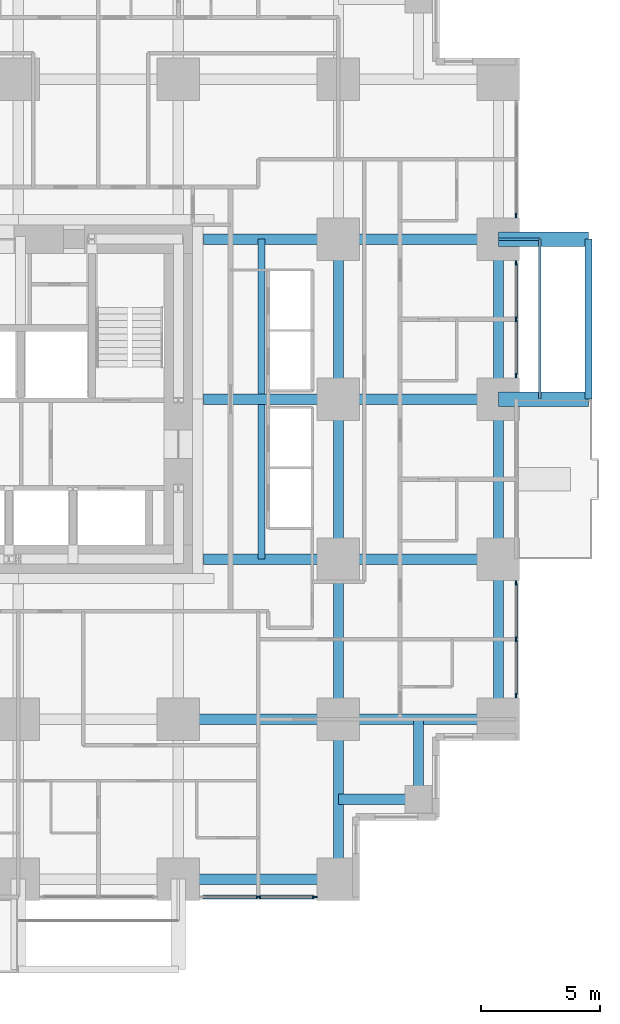
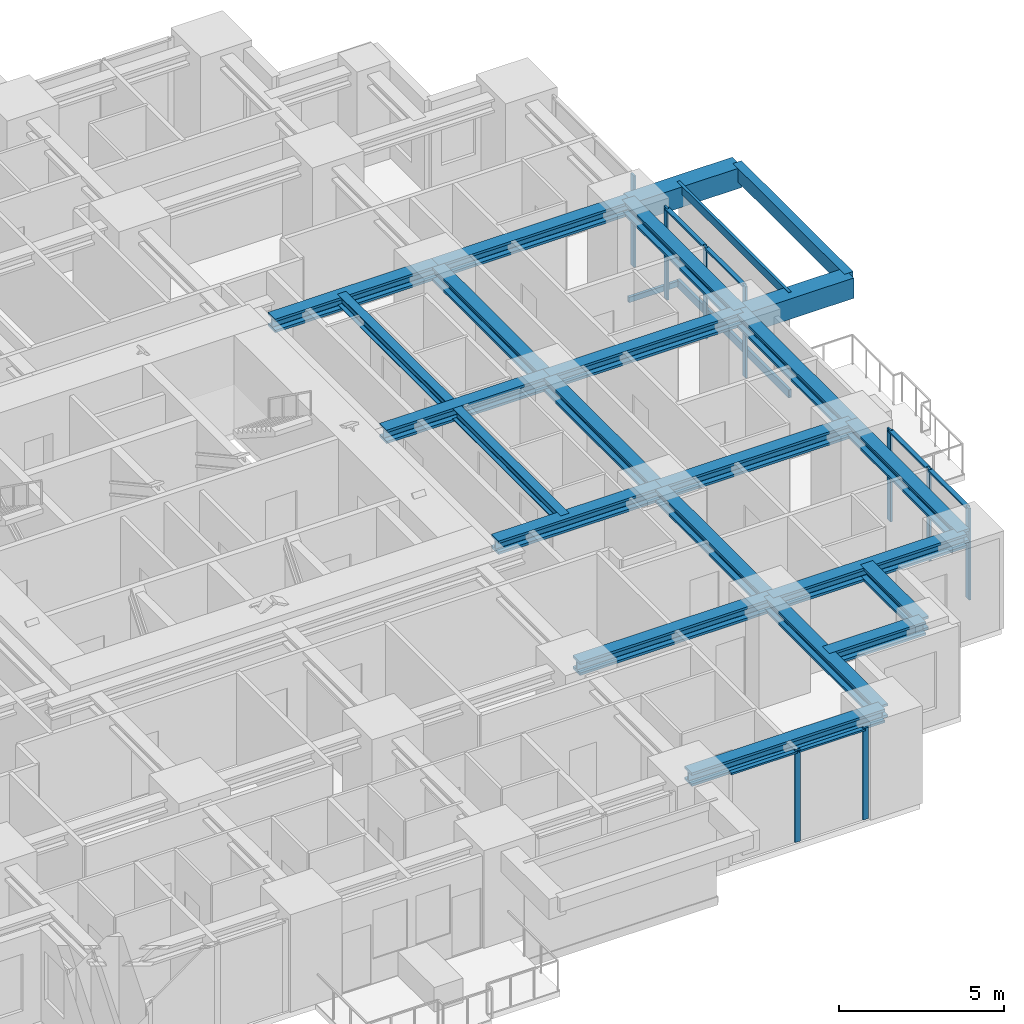
# One storey, part 4 of 14: 23 beams, 18 members, 4 elements without a shape of their own.
"""IFC4 building model written with IfcOpenShell, lengths in metres."""

from ifc_helpers import new_model, si_unit, direction, frame, origin, origin_2d, place, context, subcontext, project, spatial, rectangle, hollow_rectangle, i_section, extrude, material, material_profile, profile_set, type_object, element, aggregate, save


model = new_model("IFC4")

# Units and contexts
model_context = context("Model", 3, precision=1e-05, world=origin(), true_north=direction((0.0, 1.0)))
body_context = subcontext(model_context, "Body", "Model", "MODEL_VIEW")
ifc_project = project(units=[si_unit("LENGTHUNIT", "METRE"), si_unit("AREAUNIT", "SQUARE_METRE"), si_unit("VOLUMEUNIT", "CUBIC_METRE"), si_unit("PLANEANGLEUNIT", "RADIAN"), si_unit("MASSUNIT", "GRAM", prefix="KILO")], contexts=[model_context])

# Site, building, storey
site_placement = place(None, origin())
site = spatial("IfcSite", under=ifc_project, at=site_placement, CompositionType="ELEMENT")
building_placement = place(site_placement, origin())
building = spatial("IfcBuilding", under=site, at=building_placement, Name="Nyansa Garden Tower", CompositionType="ELEMENT")
storey_placement = place(building_placement, frame((0.0, 0.0, 68.39990234375)))
storey = spatial("IfcBuildingStorey", under=building, at=storey_placement, Name="L18", CompositionType="ELEMENT", Elevation=68.39990234375)

# Beams
ifc_material_1 = material(Name="Concrete C70/85", Category="concrete")
ifc_material_profile_1 = material_profile(ifc_material_1, rectangle(XDim=0.60009765625, YDim=0.75, at=origin_2d()), Name="RC 600x750")
ifc_profile_set_1 = profile_set([ifc_material_profile_1], Name="Concrete C70/85")
beam_type_1 = type_object("IfcBeamType", Name="Balcony cantilever beam CB1 RC 600x750", PredefinedType="BEAM", material=ifc_profile_set_1)
for number, where, z_axis, x_axis, name in (
    (1, (40.5, 20.25, 2.985107421875), (1.0, 0.0, 0.0), (0.0, 1.0, 0.0), "Balcony cantilever beam L19"),
    (2, (40.5, 27.0, 2.985107421875), (1.0, 0.0, 0.0), (0.0, 1.0, 0.0), "Balcony cantilever beam L19"),
):
    element("IfcBeam", number, at=place(storey_placement, frame(where, z_axis=z_axis, x_axis=x_axis)), inside=storey, type_object=beam_type_1, Name=name, PredefinedType="BEAM", context=body_context, shape_type="SweptSolid", body=[
        extrude(rectangle(XDim=0.60009765625, YDim=0.75, at=origin_2d()), origin(), (0.0, 0.0, 1.0), 3.800048828125),
    ])
ifc_material_2 = material(Name="Concrete C70/85", Category="concrete")
ifc_material_profile_2 = material_profile(ifc_material_2, rectangle(XDim=0.300048828125, YDim=0.5, at=origin_2d()), Name="RC 300x500")
ifc_profile_set_2 = profile_set([ifc_material_profile_2], Name="Concrete C70/85")
beam_type_2 = type_object("IfcBeamType", Name="Balcony edge beam BE1 RC 300x500", PredefinedType="BEAM", material=ifc_profile_set_2)
beam_1_placement = place(storey_placement, frame((44.300048828125, 20.25, 3.110107421875), z_axis=(0.0, 1.0, 0.0), x_axis=(-1.0, 0.0, 0.0)))
element("IfcBeam", 3, at=beam_1_placement, inside=storey, type_object=beam_type_2, Name="Balcony edge beam L19", PredefinedType="BEAM", context=body_context, shape_type="SweptSolid", body=[
    extrude(rectangle(XDim=0.300048828125, YDim=0.5, at=origin_2d()), origin(), (0.0, 0.0, 1.0), 6.75),
])

# Curtain wall, members
ifc_material_3 = material(Name="Black anodised aluminium, dark tinted double glazing", Category="aluminium")
curtain_wall_type = type_object("IfcCurtainWallType", Name="Inner skin curtain wall ISW-A", PredefinedType="USERDEFINED", material=ifc_material_3)
curtain_wall_1_placement = place(storey_placement, origin())
curtain_wall_1 = element("IfcCurtainWall", 4, at=curtain_wall_1_placement, inside=storey, type_object=curtain_wall_type, Name="Inner skin curtain wall L18 E", ObjectType="UNITISED CURTAIN WALL", PredefinedType="USERDEFINED")
ifc_material_4 = material(Name="Black anodised aluminium", Category="aluminium")
ifc_material_profile_3 = material_profile(ifc_material_4, rectangle(XDim=0.06494140625, YDim=0.199951171875, at=origin_2d()), Name="Mullion 200x65")
ifc_profile_set_3 = profile_set([ifc_material_profile_3], Name="Black anodised aluminium")
member_type_1 = type_object("IfcMemberType", Name="Mullion ISW-A 200x65", PredefinedType="MULLION", material=ifc_profile_set_3)
member_1_placement = place(storey_placement, frame((41.25, 7.75, 0.0), z_axis=(0.0, 0.0, 1.0), x_axis=(-1.0, 0.0, 0.0)))
member_1 = element("IfcMember", 5, at=member_1_placement, type_object=member_type_1, Name="ISW-A mullion 1", PredefinedType="MULLION", context=body_context, shape_type="SweptSolid", body=[
    extrude(rectangle(XDim=0.06494140625, YDim=0.199951171875, at=origin_2d()), origin(), (0.0, 0.0, 1.0), 3.375),
])
member_2_placement = place(storey_placement, frame((41.25, 10.125, 0.0), z_axis=(0.0, 0.0, 1.0), x_axis=(-1.0, 0.0, 0.0)))
member_2 = element("IfcMember", 6, at=member_2_placement, type_object=member_type_1, Name="ISW-A mullion 2", PredefinedType="MULLION", context=body_context, shape_type="SweptSolid", body=[
    extrude(rectangle(XDim=0.06494140625, YDim=0.199951171875, at=origin_2d()), origin(), (0.0, 0.0, 1.0), 3.375),
])
member_3_placement = place(storey_placement, frame((41.25, 12.5, 0.0), z_axis=(0.0, 0.0, 1.0), x_axis=(-1.0, 0.0, 0.0)))
member_3 = element("IfcMember", 7, at=member_3_placement, type_object=member_type_1, Name="ISW-A mullion 3", PredefinedType="MULLION", context=body_context, shape_type="SweptSolid", body=[
    extrude(rectangle(XDim=0.06494140625, YDim=0.199951171875, at=origin_2d()), origin(), (0.0, 0.0, 1.0), 3.375),
])

curtain_wall_2_placement = place(storey_placement, origin())
curtain_wall_2 = element("IfcCurtainWall", 8, at=curtain_wall_2_placement, inside=storey, type_object=curtain_wall_type, Name="Inner skin curtain wall L18 E", ObjectType="UNITISED CURTAIN WALL", PredefinedType="USERDEFINED")
member_4_placement = place(storey_placement, frame((41.25, 21.25, 0.0), z_axis=(0.0, 0.0, 1.0), x_axis=(-1.0, 0.0, 0.0)))
member_4 = element("IfcMember", 9, at=member_4_placement, type_object=member_type_1, Name="ISW-A mullion 1", PredefinedType="MULLION", context=body_context, shape_type="SweptSolid", body=[
    extrude(rectangle(XDim=0.06494140625, YDim=0.199951171875, at=origin_2d()), origin(), (0.0, 0.0, 1.0), 3.375),
])
member_5_placement = place(storey_placement, frame((41.25, 23.625, 0.0), z_axis=(0.0, 0.0, 1.0), x_axis=(-1.0, 0.0, 0.0)))
member_5 = element("IfcMember", 10, at=member_5_placement, type_object=member_type_1, Name="ISW-A mullion 2", PredefinedType="MULLION", context=body_context, shape_type="SweptSolid", body=[
    extrude(rectangle(XDim=0.06494140625, YDim=0.199951171875, at=origin_2d()), origin(), (0.0, 0.0, 1.0), 3.375),
])
member_6_placement = place(storey_placement, frame((41.25, 26.0, 0.0), z_axis=(0.0, 0.0, 1.0), x_axis=(-1.0, 0.0, 0.0)))
member_6 = element("IfcMember", 11, at=member_6_placement, type_object=member_type_1, Name="ISW-A mullion 3", PredefinedType="MULLION", context=body_context, shape_type="SweptSolid", body=[
    extrude(rectangle(XDim=0.06494140625, YDim=0.199951171875, at=origin_2d()), origin(), (0.0, 0.0, 1.0), 3.375),
])

# Curtain wall, member
curtain_wall_3_placement = place(storey_placement, origin())
curtain_wall_3 = element("IfcCurtainWall", 12, at=curtain_wall_3_placement, inside=storey, type_object=curtain_wall_type, Name="Inner skin curtain wall L18 E", ObjectType="UNITISED CURTAIN WALL", PredefinedType="USERDEFINED")
member_7_placement = place(storey_placement, frame((41.25, 28.0, 0.0), z_axis=(0.0, 0.0, 1.0), x_axis=(-1.0, 0.0, 0.0)))
member_7 = element("IfcMember", 13, at=member_7_placement, type_object=member_type_1, Name="ISW-A mullion 1", PredefinedType="MULLION", context=body_context, shape_type="SweptSolid", body=[
    extrude(rectangle(XDim=0.06494140625, YDim=0.199951171875, at=origin_2d()), origin(), (0.0, 0.0, 1.0), 3.375),
])
aggregate(curtain_wall_3, [member_7])

# Curtain wall, members
curtain_wall_4_placement = place(storey_placement, origin())
curtain_wall_4 = element("IfcCurtainWall", 14, at=curtain_wall_4_placement, inside=storey, type_object=curtain_wall_type, Name="Inner skin curtain wall L18 S", ObjectType="UNITISED CURTAIN WALL", PredefinedType="USERDEFINED")
member_8_placement = place(storey_placement, frame((30.375, -0.75, 0.0), z_axis=(0.0, 0.0, 1.0), x_axis=(0.0, 1.0, 0.0)))
member_8 = element("IfcMember", 15, at=member_8_placement, type_object=member_type_1, Name="ISW-A mullion 2", PredefinedType="MULLION", context=body_context, shape_type="SweptSolid", body=[
    extrude(rectangle(XDim=0.06494140625, YDim=0.199951171875, at=origin_2d()), origin(), (0.0, 0.0, 1.0), 3.375),
])
member_9_placement = place(storey_placement, frame((32.75, -0.75, 0.0), z_axis=(0.0, 0.0, 1.0), x_axis=(0.0, 1.0, 0.0)))
member_9 = element("IfcMember", 16, at=member_9_placement, type_object=member_type_1, Name="ISW-A mullion 3", PredefinedType="MULLION", context=body_context, shape_type="SweptSolid", body=[
    extrude(rectangle(XDim=0.06494140625, YDim=0.199951171875, at=origin_2d()), origin(), (0.0, 0.0, 1.0), 3.375),
])

# Members
ifc_material_5 = material(Name="Steel S355, black powder coated", Category="steel")
ifc_material_profile_4 = material_profile(ifc_material_5, hollow_rectangle(XDim=0.10009765625, YDim=0.199951171875, WallThickness=0.008056640625, at=origin_2d()), Name="RHS 200x100x8")
ifc_profile_set_4 = profile_set([ifc_material_profile_4], Name="Steel S355, black powder coated")
member_type_2 = type_object("IfcMemberType", Name="Outer skin bracket arm RHS 200x100x8", PredefinedType="USERDEFINED", material=ifc_profile_set_4)
member_10_placement = place(storey_placement, frame((40.5, 27.0, -0.375), z_axis=(1.0, 0.0, 0.0), x_axis=(0.0, 1.0, 0.0)))
element("IfcMember", 17, at=member_10_placement, inside=storey, type_object=member_type_2, Name="Outer skin bracket arm", ObjectType="OUTER SKIN BRACKET", PredefinedType="USERDEFINED", context=body_context, shape_type="SweptSolid", body=[
    extrude(hollow_rectangle(XDim=0.10009765625, YDim=0.199951171875, WallThickness=0.008056640625, at=origin_2d()), origin(), (0.0, 0.0, 1.0), 1.75),
])
ifc_material_6 = material(Name="Steel S355, black powder coated", Category="steel")
ifc_material_profile_5 = material_profile(ifc_material_6, hollow_rectangle(XDim=0.10009765625, YDim=0.300048828125, WallThickness=0.010009765625, at=origin_2d()), Name="RHS 300x100x10")
ifc_profile_set_5 = profile_set([ifc_material_profile_5], Name="Steel S355, black powder coated")
member_type_3 = type_object("IfcMemberType", Name="Outer skin rail RHS 300x100x10", PredefinedType="USERDEFINED", material=ifc_profile_set_5)
for number, where, z_axis, x_axis, name in (
    (18, (42.25, 20.25, -0.375), (0.0, 1.0, 0.0), (-1.0, 0.0, 0.0), "Outer skin rail L18"),
    (19, (42.25, 20.25, 3.22509765625), (0.0, 1.0, 0.0), (-1.0, 0.0, 0.0), "Outer skin rail L18 head"),
):
    element("IfcMember", number, at=place(storey_placement, frame(where, z_axis=z_axis, x_axis=x_axis)), inside=storey, type_object=member_type_3, Name=name, ObjectType="OUTER SKIN RAIL", PredefinedType="USERDEFINED", context=body_context, shape_type="SweptSolid", body=[
        extrude(hollow_rectangle(XDim=0.10009765625, YDim=0.300048828125, WallThickness=0.010009765625, at=origin_2d()), origin(), (0.0, 0.0, 1.0), 6.75),
    ])

# Beams
ifc_material_7 = material(Name="Steel S355", Category="steel")
ifc_material_profile_6 = material_profile(ifc_material_7, i_section(OverallWidth=0.431884765625, OverallDepth=0.498046875, WebThickness=0.0556640625, FlangeThickness=0.0888671875, FilletRadius=0.014892578125, at=origin_2d()), Name="HD 400x744")
ifc_profile_set_6 = profile_set([ifc_material_profile_6], Name="Steel S355")
beam_type_3 = type_object("IfcBeamType", Name="Steel beam SBA2-744 HD 400x744", PredefinedType="BEAM", material=ifc_profile_set_6)
beam_2_placement = place(storey_placement, frame((27.0, 6.75, 3.1259765625), z_axis=(1.0, 0.0, 0.0), x_axis=(0.0, 1.0, 0.0)))
element("IfcBeam", 20, at=beam_2_placement, inside=storey, type_object=beam_type_3, Name="Steel beam 6/E-7/E L19", PredefinedType="BEAM", context=body_context, shape_type="SweptSolid", body=[
    extrude(i_section(OverallWidth=0.431884765625, OverallDepth=0.498046875, WebThickness=0.0556640625, FlangeThickness=0.0888671875, FilletRadius=0.014892578125, at=origin_2d()), origin(), (0.0, 0.0, 1.0), 6.75),
])
for number, where, z_axis, x_axis, name in (
    (21, (28.050048828125, 13.5, 3.1259765625), (1.0, 0.0, 0.0), (0.0, 1.0, 0.0), "Steel beam 28.050/F-7/F L19"),
    (22, (28.050048828125, 20.25, 3.1259765625), (1.0, 0.0, 0.0), (0.0, 1.0, 0.0), "Steel beam 28.050/G-7/G L19"),
    (23, (28.050048828125, 27.0, 3.1259765625), (1.0, 0.0, 0.0), (0.0, 1.0, 0.0), "Steel beam 28.050/H-7/H L19"),
):
    element("IfcBeam", number, at=place(storey_placement, frame(where, z_axis=z_axis, x_axis=x_axis)), inside=storey, type_object=beam_type_3, Name=name, PredefinedType="BEAM", context=body_context, shape_type="SweptSolid", body=[
        extrude(i_section(OverallWidth=0.431884765625, OverallDepth=0.498046875, WebThickness=0.0556640625, FlangeThickness=0.0888671875, FilletRadius=0.014892578125, at=origin_2d()), origin(), (0.0, 0.0, 1.0), 5.699951171875),
    ])
for number, where, z_axis, x_axis, name in (
    (24, (33.75, 0.0, 3.1259765625), (0.0, 1.0, 0.0), (-1.0, 0.0, 0.0), "Steel beam 7/D-7/E L19"),
    (25, (33.75, 6.75, 3.1259765625), (0.0, 1.0, 0.0), (-1.0, 0.0, 0.0), "Steel beam 7/E-7/F L19"),
    (26, (33.75, 6.75, 3.1259765625), (1.0, 0.0, 0.0), (0.0, 1.0, 0.0), "Steel beam 7/E-8/E L19"),
    (27, (33.75, 13.5, 3.1259765625), (0.0, 1.0, 0.0), (-1.0, 0.0, 0.0), "Steel beam 7/F-7/G L19"),
    (28, (33.75, 13.5, 3.1259765625), (1.0, 0.0, 0.0), (0.0, 1.0, 0.0), "Steel beam 7/F-8/F L19"),
    (29, (33.75, 20.25, 3.1259765625), (0.0, 1.0, 0.0), (-1.0, 0.0, 0.0), "Steel beam 7/G-7/H L19"),
    (30, (33.75, 20.25, 3.1259765625), (1.0, 0.0, 0.0), (0.0, 1.0, 0.0), "Steel beam 7/G-8/G L19"),
    (31, (33.75, 27.0, 3.1259765625), (1.0, 0.0, 0.0), (0.0, 1.0, 0.0), "Steel beam 7/H-8/H L19"),
):
    element("IfcBeam", number, at=place(storey_placement, frame(where, z_axis=z_axis, x_axis=x_axis)), inside=storey, type_object=beam_type_3, Name=name, PredefinedType="BEAM", context=body_context, shape_type="SweptSolid", body=[
        extrude(i_section(OverallWidth=0.431884765625, OverallDepth=0.498046875, WebThickness=0.0556640625, FlangeThickness=0.0888671875, FilletRadius=0.014892578125, at=origin_2d()), origin(), (0.0, 0.0, 1.0), 6.75),
    ])
ifc_material_8 = material(Name="Steel S355", Category="steel")
ifc_material_profile_7 = material_profile(ifc_material_8, i_section(OverallWidth=0.431884765625, OverallDepth=0.498046875, WebThickness=0.0556640625, FlangeThickness=0.0888671875, FilletRadius=0.014892578125, at=origin_2d()), Name="HD 400x744")
ifc_profile_set_7 = profile_set([ifc_material_profile_7], Name="Steel S355")
beam_type_4 = type_object("IfcBeamType", Name="Steel beam SEBA-744 HD 400x744", PredefinedType="BEAM", material=ifc_profile_set_7)
for number, where, z_axis, x_axis, name in (
    (32, (27.0, 0.0, 3.1259765625), (1.0, 0.0, 0.0), (0.0, 1.0, 0.0), "Steel edge beam 6/D-7/D L19"),
    (33, (40.5, 6.75, 3.1259765625), (0.0, 1.0, 0.0), (-1.0, 0.0, 0.0), "Steel edge beam 8/E-8/F L19"),
    (34, (40.5, 13.5, 3.1259765625), (0.0, 1.0, 0.0), (-1.0, 0.0, 0.0), "Steel edge beam 8/F-8/G L19"),
    (35, (40.5, 20.25, 3.1259765625), (0.0, 1.0, 0.0), (-1.0, 0.0, 0.0), "Steel edge beam 8/G-8/H L19"),
):
    element("IfcBeam", number, at=place(storey_placement, frame(where, z_axis=z_axis, x_axis=x_axis)), inside=storey, type_object=beam_type_4, Name=name, PredefinedType="BEAM", context=body_context, shape_type="SweptSolid", body=[
        extrude(i_section(OverallWidth=0.431884765625, OverallDepth=0.498046875, WebThickness=0.0556640625, FlangeThickness=0.0888671875, FilletRadius=0.014892578125, at=origin_2d()), origin(), (0.0, 0.0, 1.0), 6.75),
    ])
ifc_material_9 = material(Name="Steel S355", Category="steel")
ifc_material_profile_8 = material_profile(ifc_material_9, i_section(OverallWidth=0.431884765625, OverallDepth=0.498046875, WebThickness=0.0556640625, FlangeThickness=0.0888671875, FilletRadius=0.014892578125, at=origin_2d()), Name="HD 400x744")
ifc_profile_set_8 = profile_set([ifc_material_profile_8], Name="Steel S355")
beam_type_5 = type_object("IfcBeamType", Name="Steel beam SSB1-744 HD 400x744", PredefinedType="BEAM", material=ifc_profile_set_8)
for number, where, z_axis, x_axis, name in (
    (36, (37.125, 3.375, 3.1259765625), (0.0, 1.0, 0.0), (-1.0, 0.0, 0.0), "Steel step beam 37.125/3.375 L19"),
    (37, (37.125, 3.375, 3.1259765625), (-1.0, 0.0, 0.0), (0.0, -1.0, 0.0), "Steel step beam 37.125/3.375 L19"),
):
    element("IfcBeam", number, at=place(storey_placement, frame(where, z_axis=z_axis, x_axis=x_axis)), inside=storey, type_object=beam_type_5, Name=name, PredefinedType="BEAM", context=body_context, shape_type="SweptSolid", body=[
        extrude(i_section(OverallWidth=0.431884765625, OverallDepth=0.498046875, WebThickness=0.0556640625, FlangeThickness=0.0888671875, FilletRadius=0.014892578125, at=origin_2d()), origin(), (0.0, 0.0, 1.0), 3.375),
    ])

# Member
ifc_material_10 = material(Name="Black anodised aluminium", Category="aluminium")
ifc_material_profile_9 = material_profile(ifc_material_10, rectangle(XDim=0.14990234375, YDim=0.06494140625, at=origin_2d()), Name="Transom 150x65")
ifc_profile_set_9 = profile_set([ifc_material_profile_9], Name="Black anodised aluminium")
member_type_4 = type_object("IfcMemberType", Name="Transom ISW-A 150x65", PredefinedType="USERDEFINED", material=ifc_profile_set_9)
member_11_placement = place(storey_placement, frame((41.25, 7.782470703125, 3.342529296875), z_axis=(0.0, 1.0, 0.0), x_axis=(-1.0, 0.0, 0.0)))
member_11 = element("IfcMember", 38, at=member_11_placement, type_object=member_type_4, Name="ISW-A transom 1", ObjectType="TRANSOM", PredefinedType="USERDEFINED", context=body_context, shape_type="SweptSolid", body=[
    extrude(rectangle(XDim=0.14990234375, YDim=0.06494140625, at=origin_2d()), origin(), (0.0, 0.0, 1.0), 2.31005859375),
])

member_12_placement = place(storey_placement, frame((41.25, 10.157470703125, 3.342529296875), z_axis=(0.0, 1.0, 0.0), x_axis=(-1.0, 0.0, 0.0)))
member_12 = element("IfcMember", 39, at=member_12_placement, type_object=member_type_4, Name="ISW-A transom 2", ObjectType="TRANSOM", PredefinedType="USERDEFINED", context=body_context, shape_type="SweptSolid", body=[
    extrude(rectangle(XDim=0.14990234375, YDim=0.06494140625, at=origin_2d()), origin(), (0.0, 0.0, 1.0), 2.31005859375),
])

aggregate(curtain_wall_1, [member_1, member_2, member_3, member_11, member_12])

member_13_placement = place(storey_placement, frame((41.25, 21.282470703125, 3.342529296875), z_axis=(0.0, 1.0, 0.0), x_axis=(-1.0, 0.0, 0.0)))
member_13 = element("IfcMember", 40, at=member_13_placement, type_object=member_type_4, Name="ISW-A transom 1", ObjectType="TRANSOM", PredefinedType="USERDEFINED", context=body_context, shape_type="SweptSolid", body=[
    extrude(rectangle(XDim=0.14990234375, YDim=0.06494140625, at=origin_2d()), origin(), (0.0, 0.0, 1.0), 2.31005859375),
])

member_14_placement = place(storey_placement, frame((41.25, 23.657470703125, 3.342529296875), z_axis=(0.0, 1.0, 0.0), x_axis=(-1.0, 0.0, 0.0)))
member_14 = element("IfcMember", 41, at=member_14_placement, type_object=member_type_4, Name="ISW-A transom 2", ObjectType="TRANSOM", PredefinedType="USERDEFINED", context=body_context, shape_type="SweptSolid", body=[
    extrude(rectangle(XDim=0.14990234375, YDim=0.06494140625, at=origin_2d()), origin(), (0.0, 0.0, 1.0), 2.31005859375),
])

aggregate(curtain_wall_2, [member_4, member_5, member_6, member_13, member_14])

member_15_placement = place(storey_placement, frame((28.032470703125, -0.75, 3.342529296875), z_axis=(1.0, 0.0, 0.0), x_axis=(0.0, 1.0, 0.0)))
member_15 = element("IfcMember", 42, at=member_15_placement, type_object=member_type_4, Name="ISW-A transom 1", ObjectType="TRANSOM", PredefinedType="USERDEFINED", context=body_context, shape_type="SweptSolid", body=[
    extrude(rectangle(XDim=0.14990234375, YDim=0.06494140625, at=origin_2d()), origin(), (0.0, 0.0, 1.0), 2.31005859375),
])

member_16_placement = place(storey_placement, frame((30.407470703125, -0.75, 3.342529296875), z_axis=(1.0, 0.0, 0.0), x_axis=(0.0, 1.0, 0.0)))
member_16 = element("IfcMember", 43, at=member_16_placement, type_object=member_type_4, Name="ISW-A transom 2", ObjectType="TRANSOM", PredefinedType="USERDEFINED", context=body_context, shape_type="SweptSolid", body=[
    extrude(rectangle(XDim=0.14990234375, YDim=0.06494140625, at=origin_2d()), origin(), (0.0, 0.0, 1.0), 2.31005859375),
])

aggregate(curtain_wall_4, [member_8, member_9, member_15, member_16])

# Beams
ifc_material_11 = material(Name="Steel S355", Category="steel")
ifc_material_profile_10 = material_profile(ifc_material_11, i_section(OverallWidth=0.300048828125, OverallDepth=0.39990234375, WebThickness=0.013427734375, FlangeThickness=0.02392578125, FilletRadius=0.027099609375, at=origin_2d()), Name="HE 400 B")
ifc_profile_set_10 = profile_set([ifc_material_profile_10], Name="Steel S355")
beam_type_6 = type_object("IfcBeamType", Name="Trimmer beam TR1 HE 400 B", PredefinedType="BEAM", material=ifc_profile_set_10)
for number, where, z_axis, x_axis, name in (
    (44, (30.5, 13.5, 3.175048828125), (0.0, 1.0, 0.0), (-1.0, 0.0, 0.0), "Trimmer beam 1 L19"),
    (45, (30.5, 20.466064453125, 3.175048828125), (0.0, 1.0, 0.0), (-1.0, 0.0, 0.0), "Trimmer beam 2 L19"),
):
    element("IfcBeam", number, at=place(storey_placement, frame(where, z_axis=z_axis, x_axis=x_axis)), inside=storey, type_object=beam_type_6, Name=name, PredefinedType="BEAM", context=body_context, shape_type="SweptSolid", body=[
        extrude(i_section(OverallWidth=0.300048828125, OverallDepth=0.39990234375, WebThickness=0.013427734375, FlangeThickness=0.02392578125, FilletRadius=0.027099609375, at=origin_2d()), origin(), (0.0, 0.0, 1.0), 6.533935546875),
    ])

save(model, "model.ifc")
